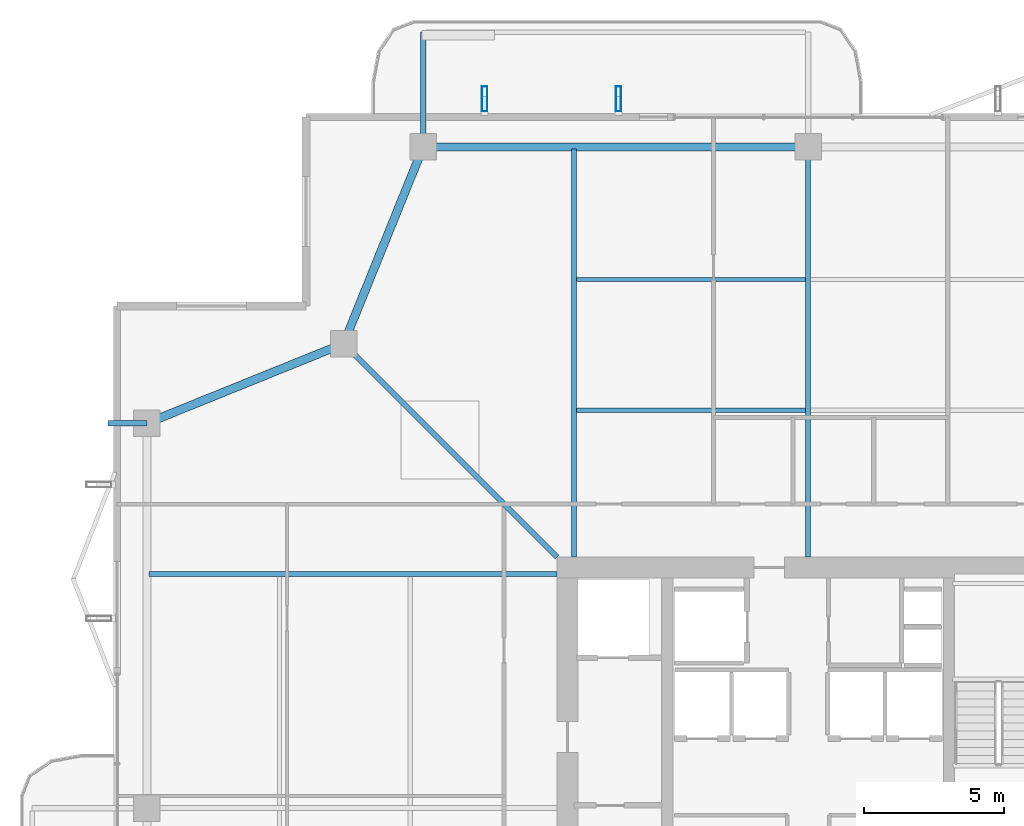
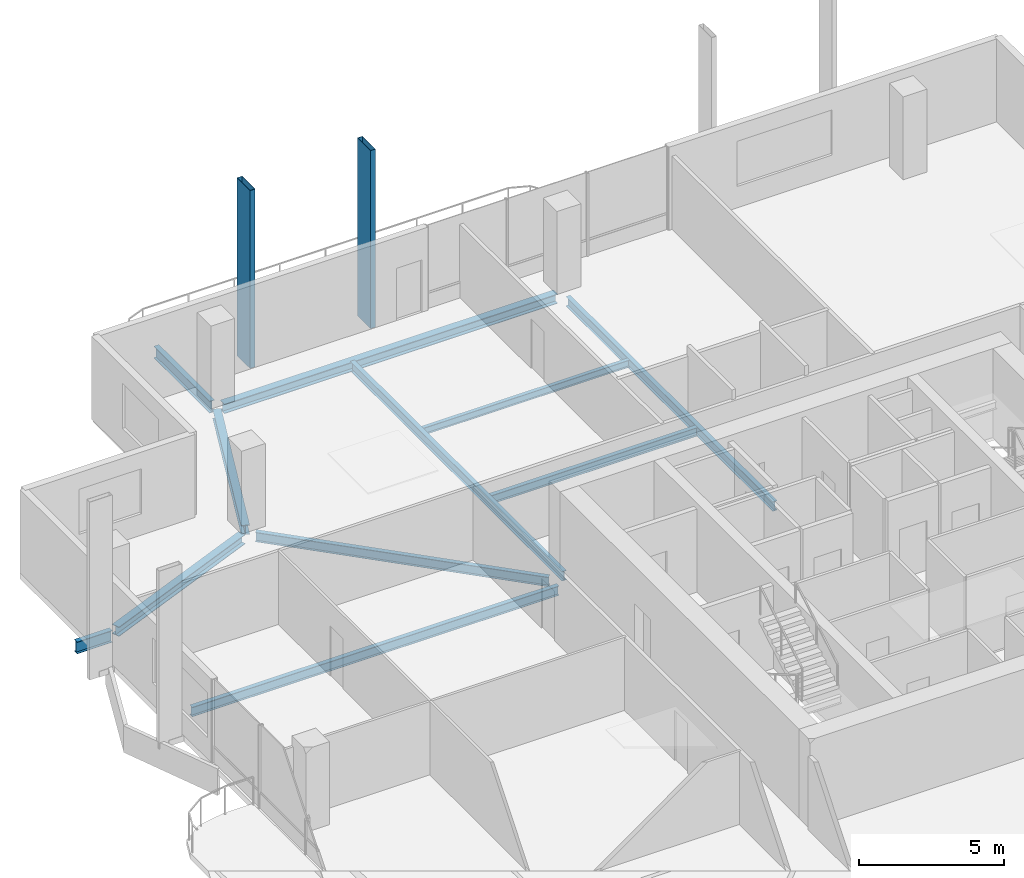
# One storey, part 12 of 25: 11 beams, 2 members.
"""IFC4 building model written with IfcOpenShell, lengths in metres."""

from ifc_helpers import new_model, si_unit, direction, frame, origin, origin_2d, place, context, subcontext, project, spatial, hollow_rectangle, i_section, extrude, material, material_profile, profile_set, type_object, element, save


model = new_model("IFC4")

# Units and contexts
model_context = context("Model", 3, precision=1e-05, world=origin(), true_north=direction((0.0, 1.0)))
body_context = subcontext(model_context, "Body", "Model", "MODEL_VIEW")
ifc_project = project(units=[si_unit("LENGTHUNIT", "METRE"), si_unit("AREAUNIT", "SQUARE_METRE"), si_unit("VOLUMEUNIT", "CUBIC_METRE"), si_unit("PLANEANGLEUNIT", "RADIAN"), si_unit("MASSUNIT", "GRAM", prefix="KILO")], contexts=[model_context])

# Site, building, storey
site_placement = place(None, origin())
site = spatial("IfcSite", under=ifc_project, at=site_placement, CompositionType="ELEMENT")
building_placement = place(site_placement, origin())
building = spatial("IfcBuilding", under=site, at=building_placement, Name="Belovzor Exchange Tower", CompositionType="ELEMENT")
storey_placement = place(building_placement, frame((0.0, 0.0, 272.85009765625)))
storey = spatial("IfcBuildingStorey", under=building, at=storey_placement, Name="L68", CompositionType="ELEMENT", Elevation=272.85009765625)

# Beams
ifc_material_1 = material(Name="Steel S355", Category="steel")
ifc_material_profile_1 = material_profile(ifc_material_1, i_section(OverallWidth=0.199951171875, OverallDepth=0.5, WebThickness=0.01025390625, FlangeThickness=0.01611328125, at=origin_2d()))
ifc_profile_set_1 = profile_set([ifc_material_profile_1], Name="Steel S355")
beam_type_1 = type_object("IfcBeamType", Name="Planted Balcony Cantilever Beam IPE 500", PredefinedType="BEAM", material=ifc_profile_set_1)
beam_1_placement = place(storey_placement, frame((15.0, 52.760986328125, -0.5), z_axis=(0.0, 1.0, 0.0), x_axis=(-1.0, 0.0, 0.0)))
element("IfcBeam", 1, at=beam_1_placement, inside=storey, type_object=beam_type_1, Name="BC-500 Planted Balcony Cantilever Beam IPE 500", PredefinedType="BEAM", context=body_context, shape_type="SweptSolid", body=[
    extrude(i_section(OverallWidth=0.199951171875, OverallDepth=0.5, WebThickness=0.01025390625, FlangeThickness=0.01611328125, at=origin_2d()), origin(), (0.0, 0.0, 1.0), 3.85009765625),
])
beam_2_placement = place(storey_placement, frame((5.10009765625, 42.60009765625, -0.5), z_axis=(-1.0, 0.0, 0.0), x_axis=(0.0, -1.0, 0.0)))
element("IfcBeam", 2, at=beam_2_placement, inside=storey, type_object=beam_type_1, Name="BC-500 Planted Balcony Cantilever Beam IPE 500", PredefinedType="BEAM", context=body_context, shape_type="SweptSolid", body=[
    extrude(i_section(OverallWidth=0.199951171875, OverallDepth=0.5, WebThickness=0.01025390625, FlangeThickness=0.01611328125, at=origin_2d()), origin(), (0.0, 0.0, 1.0), 1.400146484375),
])
ifc_material_2 = material(Name="Steel S355", Category="steel")
ifc_material_profile_2 = material_profile(ifc_material_2, i_section(OverallWidth=0.169921875, OverallDepth=0.360107421875, WebThickness=0.008056640625, FlangeThickness=0.0126953125, at=origin_2d()))
ifc_profile_set_2 = profile_set([ifc_material_profile_2], Name="Steel S355")
beam_type_2 = type_object("IfcBeamType", Name="Secondary Infill Floor Joist IPE 360", PredefinedType="BEAM", material=ifc_profile_set_2)
beam_3_placement = place(storey_placement, frame((20.489990234375, 43.06494140625, -0.43017578125), z_axis=(1.0, 0.0, 0.0), x_axis=(0.0, 1.0, 0.0)))
element("IfcBeam", 3, at=beam_3_placement, inside=storey, type_object=beam_type_2, Name="FJ-360 Secondary Infill Floor Joist IPE 360", PredefinedType="BEAM", context=body_context, shape_type="SweptSolid", body=[
    extrude(i_section(OverallWidth=0.169921875, OverallDepth=0.360107421875, WebThickness=0.008056640625, FlangeThickness=0.0126953125, at=origin_2d()), origin(), (0.0, 0.0, 1.0), 8.219970703125),
])
ifc_material_3 = material(Name="Steel S355", Category="steel")
ifc_material_profile_3 = material_profile(ifc_material_3, i_section(OverallWidth=0.14990234375, OverallDepth=0.300048828125, WebThickness=0.007080078125, FlangeThickness=0.0107421875, at=origin_2d()))
ifc_profile_set_3 = profile_set([ifc_material_profile_3], Name="Steel S355")
beam_type_3 = type_object("IfcBeamType", Name="Secondary Trim Floor Joist IPE 300", PredefinedType="BEAM", material=ifc_profile_set_3)
beam_4_placement = place(storey_placement, frame((20.489990234375, 47.7451171875, -0.400146484375), z_axis=(1.0, 0.0, 0.0), x_axis=(0.0, 1.0, 0.0)))
element("IfcBeam", 4, at=beam_4_placement, inside=storey, type_object=beam_type_3, Name="FJ-300 Secondary Trim Floor Joist IPE 300", PredefinedType="BEAM", context=body_context, shape_type="SweptSolid", body=[
    extrude(i_section(OverallWidth=0.14990234375, OverallDepth=0.300048828125, WebThickness=0.007080078125, FlangeThickness=0.0107421875, at=origin_2d()), origin(), (0.0, 0.0, 1.0), 8.219970703125),
])

# Members
ifc_material_4 = material(Name="Extruded Architectural Terracotta on Steel S355 Carrier", Category="masonry")
ifc_material_profile_4 = material_profile(ifc_material_4, hollow_rectangle(XDim=0.199951171875, YDim=0.89990234375, WallThickness=0.011962890625, at=origin_2d()))
ifc_profile_set_4 = profile_set([ifc_material_profile_4], Name="Extruded Architectural Terracotta on Steel S355 Carrier")
member_type = type_object("IfcMemberType", Name="Sweeping Terracotta Baguette Fin Assembly 950", PredefinedType="USERDEFINED", material=ifc_profile_set_4)
for number, where, z_axis, x_axis, name in (
    (5, (17.199951171875, 54.22509765625, -0.25), (0.0, 0.0, 1.0), (1.0, 0.0, 0.0), "FIN-TC095 Terracotta Facade Fin L68 N1"),
    (6, (22.0, 54.22509765625, -0.25), (0.0, 0.0, 1.0), (1.0, 0.0, 0.0), "FIN-TC095 Terracotta Facade Fin L68 N2"),
):
    element("IfcMember", number, at=place(storey_placement, frame(where, z_axis=z_axis, x_axis=x_axis)), inside=storey, type_object=member_type, Name=name, ObjectType="FIN", PredefinedType="USERDEFINED", context=body_context, shape_type="SweptSolid", body=[
        extrude(hollow_rectangle(XDim=0.199951171875, YDim=0.89990234375, WallThickness=0.011962890625, at=origin_2d()), origin(), (0.0, 0.0, 1.0), 7.5),
    ])

# Beams
ifc_material_5 = material(Name="Steel S355", Category="steel")
ifc_material_profile_5 = material_profile(ifc_material_5, i_section(OverallWidth=0.300048828125, OverallDepth=0.39990234375, WebThickness=0.013427734375, FlangeThickness=0.02392578125, at=origin_2d()))
ifc_profile_set_5 = profile_set([ifc_material_profile_5], Name="Steel S355")
beam_type_4 = type_object("IfcBeamType", Name="Zone 5 Primary Girder HEB 400", PredefinedType="BEAM", material=ifc_profile_set_5)
beam_5_placement = place(storey_placement, frame((28.5390625, 52.5, -0.4501953125), z_axis=(-1.0, 0.0, 0.0), x_axis=(0.0, -1.0, 0.0)))
element("IfcBeam", 7, at=beam_5_placement, inside=storey, type_object=beam_type_4, Name="FG-Z5 Zone 5 Primary Girder HEB 400", PredefinedType="BEAM", context=body_context, shape_type="SweptSolid", body=[
    extrude(i_section(OverallWidth=0.300048828125, OverallDepth=0.39990234375, WebThickness=0.013427734375, FlangeThickness=0.02392578125, at=origin_2d()), origin(), (0.0, 0.0, 1.0), 13.278076171875),
])
beam_6_placement = place(storey_placement, frame((14.902099609375, 52.258056640625, -0.4501953125), z_axis=(-0.374746306278, -0.927127394661, 0.0), x_axis=(0.927127394661, -0.374746306278, 0.0)))
element("IfcBeam", 8, at=beam_6_placement, inside=storey, type_object=beam_type_4, Name="FG-Z5 Zone 5 Primary Girder HEB 400", PredefinedType="BEAM", context=body_context, shape_type="SweptSolid", body=[
    extrude(i_section(OverallWidth=0.300048828125, OverallDepth=0.39990234375, WebThickness=0.013427734375, FlangeThickness=0.02392578125, at=origin_2d()), origin(), (0.0, 0.0, 1.0), 7.082275390625),
])
beam_7_placement = place(storey_placement, frame((11.907958984375, 45.35205078125, -0.4501953125), z_axis=(-0.927122553345, -0.374758283536, 0.0), x_axis=(0.374758283536, -0.927122553345, 0.0)))
element("IfcBeam", 9, at=beam_7_placement, inside=storey, type_object=beam_type_4, Name="FG-Z5 Zone 5 Primary Girder HEB 400", PredefinedType="BEAM", context=body_context, shape_type="SweptSolid", body=[
    extrude(i_section(OverallWidth=0.300048828125, OverallDepth=0.39990234375, WebThickness=0.013427734375, FlangeThickness=0.02392578125, at=origin_2d()), origin(), (0.0, 0.0, 1.0), 7.08203125),
])
ifc_material_6 = material(Name="Steel S355", Category="steel")
ifc_material_profile_6 = material_profile(ifc_material_6, i_section(OverallWidth=0.179931640625, OverallDepth=0.39990234375, WebThickness=0.008544921875, FlangeThickness=0.013427734375, at=origin_2d()))
ifc_profile_set_6 = profile_set([ifc_material_profile_6], Name="Steel S355")
beam_type_5 = type_object("IfcBeamType", Name="Zone 5-6 Radial Composite Floor Beam IPE 400", PredefinedType="BEAM", material=ifc_profile_set_6)
beam_8_placement = place(storey_placement, frame((20.39990234375, 37.800048828125, -0.4501953125), z_axis=(0.0, 1.0, 0.0), x_axis=(-1.0, 0.0, 0.0)))
element("IfcBeam", 10, at=beam_8_placement, inside=storey, type_object=beam_type_5, Name="FB-400 Zone 5-6 Radial Composite Floor Beam IPE 400", PredefinedType="BEAM", context=body_context, shape_type="SweptSolid", body=[
    extrude(i_section(OverallWidth=0.179931640625, OverallDepth=0.39990234375, WebThickness=0.008544921875, FlangeThickness=0.013427734375, at=origin_2d()), origin(), (0.0, 0.0, 1.0), 14.625),
])
beam_9_placement = place(storey_placement, frame((28.800048828125, 37.800048828125, -0.4501953125), z_axis=(0.0, 1.0, 0.0), x_axis=(-1.0, 0.0, 0.0)))
element("IfcBeam", 11, at=beam_9_placement, inside=storey, type_object=beam_type_5, Name="FB-400 Zone 5-6 Radial Composite Floor Beam IPE 400", PredefinedType="BEAM", context=body_context, shape_type="SweptSolid", body=[
    extrude(i_section(OverallWidth=0.179931640625, OverallDepth=0.39990234375, WebThickness=0.008544921875, FlangeThickness=0.013427734375, at=origin_2d()), origin(), (0.0, 0.0, 1.0), 14.281982421875),
])
beam_10_placement = place(storey_placement, frame((19.800048828125, 37.199951171875, -0.4501953125), z_axis=(-1.0, 0.0, 0.0), x_axis=(0.0, -1.0, 0.0)))
element("IfcBeam", 12, at=beam_10_placement, inside=storey, type_object=beam_type_5, Name="FB-400 Zone 5-6 Radial Composite Floor Beam IPE 400", PredefinedType="BEAM", context=body_context, shape_type="SweptSolid", body=[
    extrude(i_section(OverallWidth=0.179931640625, OverallDepth=0.39990234375, WebThickness=0.008544921875, FlangeThickness=0.013427734375, at=origin_2d()), origin(), (0.0, 0.0, 1.0), 14.625),
])
beam_11_placement = place(storey_placement, frame((19.800048828125, 37.800048828125, -0.4501953125), z_axis=(-0.707071845944, 0.707141714703, 0.0), x_axis=(-0.707141714703, -0.707071845944, 0.0)))
element("IfcBeam", 13, at=beam_11_placement, inside=storey, type_object=beam_type_5, Name="FB-400 Zone 5-6 Radial Composite Floor Beam IPE 400", PredefinedType="BEAM", context=body_context, shape_type="SweptSolid", body=[
    extrude(i_section(OverallWidth=0.179931640625, OverallDepth=0.39990234375, WebThickness=0.008544921875, FlangeThickness=0.013427734375, at=origin_2d()), origin(), (0.0, 0.0, 1.0), 10.48291015625),
])

save(model, "model.ifc")
